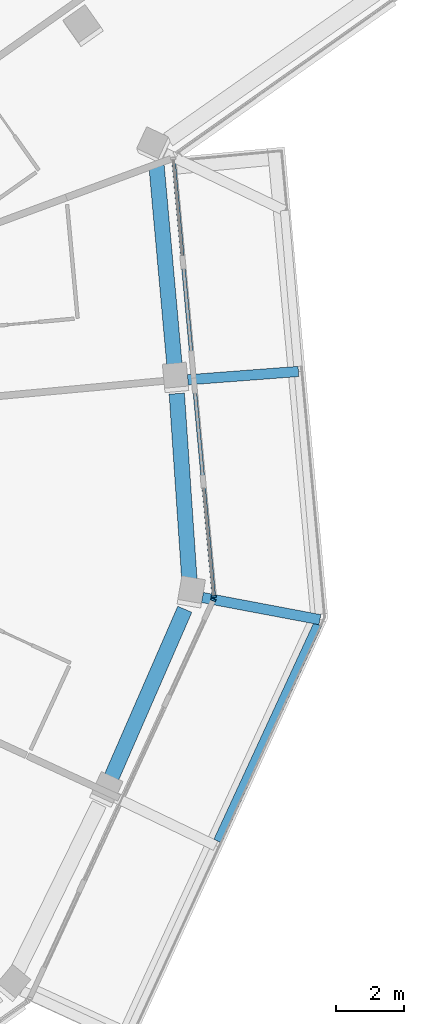
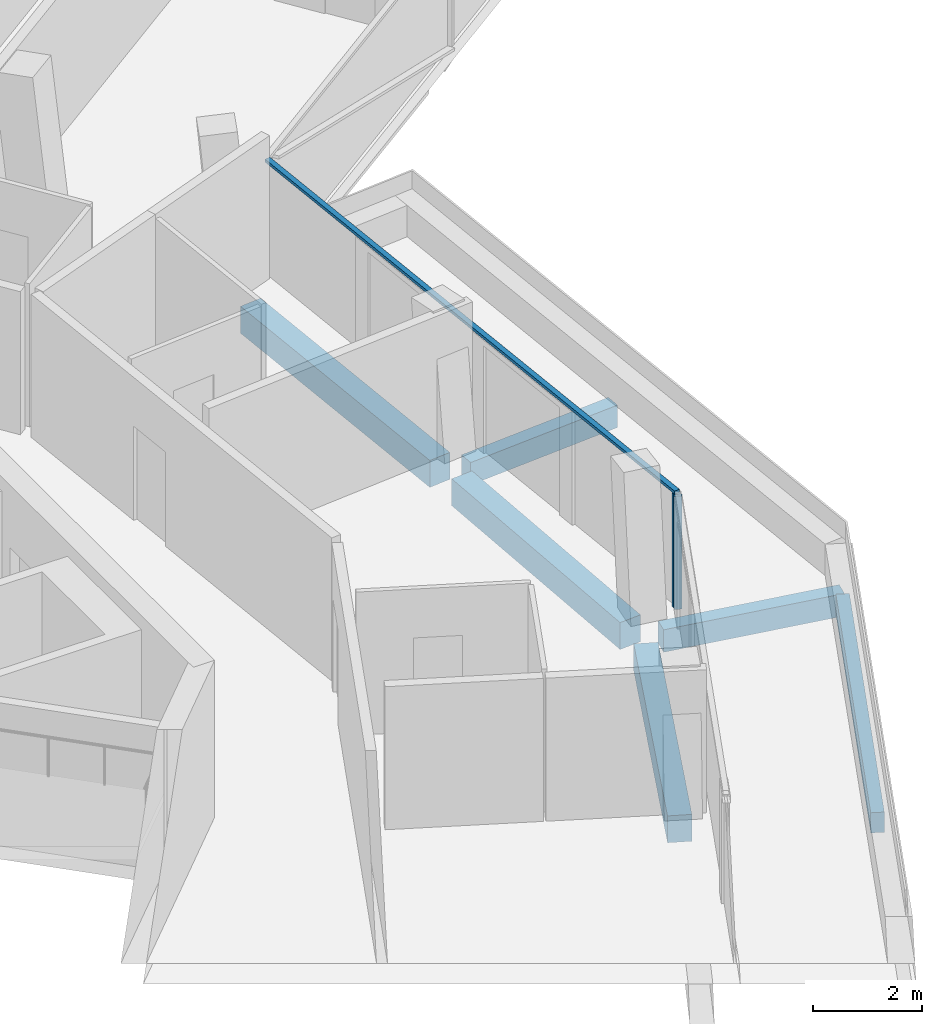
# One storey, part 7 of 25: 6 beams, 3 members, 2 elements without a shape of their own.
"""IFC4 building model written with IfcOpenShell, lengths in metres."""

from ifc_helpers import new_model, si_unit, direction, frame, origin, origin_2d, place, context, subcontext, project, spatial, rectangle, extrude, material, layer, layer_set, material_profile, profile_set, type_object, element, aggregate, save


model = new_model("IFC4")

# Units and contexts
model_context = context("Model", 3, precision=1e-05, world=origin(), true_north=direction((0.0, 1.0)))
body_context = subcontext(model_context, "Body", "Model", "MODEL_VIEW")
ifc_project = project(units=[si_unit("LENGTHUNIT", "METRE"), si_unit("AREAUNIT", "SQUARE_METRE"), si_unit("VOLUMEUNIT", "CUBIC_METRE"), si_unit("PLANEANGLEUNIT", "RADIAN"), si_unit("MASSUNIT", "GRAM", prefix="KILO")], contexts=[model_context])

# Site, building, storey
site_placement = place(None, origin())
site = spatial("IfcSite", under=ifc_project, at=site_placement, CompositionType="ELEMENT")
building_placement = place(site_placement, origin())
building = spatial("IfcBuilding", under=site, at=building_placement, Name="Verdalira Terraces Hotel", CompositionType="ELEMENT")
storey_placement = place(building_placement, frame((0.0, 0.0, 299.5)))
storey = spatial("IfcBuildingStorey", under=building, at=storey_placement, Name="L74", CompositionType="ELEMENT", Elevation=299.5)

# Beams
ifc_material_1 = material(Name="Concrete C40", Category="concrete")
ifc_material_profile_1 = material_profile(ifc_material_1, rectangle(XDim=0.300049, YDim=0.5, at=origin_2d()), Name="RC 300X500")
ifc_profile_set_1 = profile_set([ifc_material_profile_1], Name="Concrete C40")
beam_type_1 = type_object("IfcBeamType", Name="Balcony cantilever beam RC 300X500 C40", PredefinedType="BEAM", material=ifc_profile_set_1)
beam_1_placement = place(storey_placement, frame((24.337402, -4.203369, -0.560059), z_axis=(0.982676021, -0.185331694, 0.0), x_axis=(0.185331694, 0.982676021, 0.0)))
element("IfcBeam", 1, at=beam_1_placement, inside=storey, type_object=beam_type_1, Name="Balcony cantilever beam R26-3", PredefinedType="BEAM", context=body_context, shape_type="SweptSolid", body=[
    extrude(rectangle(XDim=0.300049, YDim=0.5, at=origin_2d()), origin(), (0.0, 0.0, 1.0), 3.50415),
])
beam_2_placement = place(storey_placement, frame((23.90918, 2.17627, -0.560059), z_axis=(0.997159121, 0.075323889, 0.0), x_axis=(-0.075323889, 0.997159121, 0.0)))
element("IfcBeam", 2, at=beam_2_placement, inside=storey, type_object=beam_type_1, Name="Balcony cantilever beam R26-4", PredefinedType="BEAM", context=body_context, shape_type="SweptSolid", body=[
    extrude(rectangle(XDim=0.300049, YDim=0.5, at=origin_2d()), origin(), (0.0, 0.0, 1.0), 3.250977),
])
ifc_material_2 = material(Name="Concrete C40", Category="concrete")
ifc_material_profile_2 = material_profile(ifc_material_2, rectangle(XDim=0.25, YDim=0.449951, at=origin_2d()), Name="RC 250X450")
ifc_profile_set_2 = profile_set([ifc_material_profile_2], Name="Concrete C40")
beam_type_2 = type_object("IfcBeamType", Name="Balcony edge beam RC 250X450 C40", PredefinedType="BEAM", material=ifc_profile_set_2)
beam_3_placement = place(storey_placement, frame((24.786621, -11.342285, -0.534912), z_axis=(0.418949681, 0.908009452, 0.0), x_axis=(-0.908009452, 0.418949681, 0.0)))
element("IfcBeam", 3, at=beam_3_placement, inside=storey, type_object=beam_type_2, Name="Balcony edge beam R26-2", PredefinedType="BEAM", context=body_context, shape_type="SweptSolid", body=[
    extrude(rectangle(XDim=0.25, YDim=0.449951, at=origin_2d()), origin(), (0.0, 0.0, 1.0), 6.992432),
])

# Curtain wall, member
ifc_material_3 = material(Name="Clear glass", Category="glass")
ifc_layer = layer(ifc_material_3, 0.14990234375)
ifc_layer_set = layer_set([ifc_layer], Name="CW1 curtain wall")
curtain_wall_type = type_object("IfcCurtainWallType", Name="CW1 curtain wall", PredefinedType="NOTDEFINED", material=ifc_layer_set)
curtain_wall_1_placement = place(storey_placement, origin())
curtain_wall_1 = element("IfcCurtainWall", 4, at=curtain_wall_1_placement, inside=storey, type_object=curtain_wall_type, Name="CW1 curtain wall L74 edge 26", PredefinedType="NOTDEFINED")
ifc_material_4 = material(Name="Terracotta frame", Category="masonry")
ifc_material_profile_3 = material_profile(ifc_material_4, rectangle(XDim=0.060059, YDim=0.149902, at=origin_2d()), Name="MU 60x150")
ifc_profile_set_3 = profile_set([ifc_material_profile_3], Name="Terracotta frame")
member_type_1 = type_object("IfcMemberType", Name="CW1 mullion 60x150", PredefinedType="MULLION", material=ifc_profile_set_3)
member_1_placement = place(storey_placement, frame((24.656006, -4.272461, 0.0), z_axis=(0.0, 0.0, 1.0), x_axis=(0.418184178, 0.908362259, 0.0)))
member_1 = element("IfcMember", 5, at=member_1_placement, type_object=member_type_1, Name="CW1 mullion", PredefinedType="MULLION", context=body_context, shape_type="SweptSolid", body=[
    extrude(rectangle(XDim=0.060059, YDim=0.149902, at=origin_2d()), origin(), (0.0, 0.0, 1.0), 2.524902),
])
aggregate(curtain_wall_1, [member_1])

# Curtain wall, members
curtain_wall_2_placement = place(storey_placement, origin())
curtain_wall_2 = element("IfcCurtainWall", 6, at=curtain_wall_2_placement, inside=storey, type_object=curtain_wall_type, Name="CW1 curtain wall L74 edge 27", PredefinedType="NOTDEFINED")
member_2_placement = place(storey_placement, frame((24.672363, -4.177002, 0.0), z_axis=(0.0, 0.0, 1.0), x_axis=(-0.092023008, 0.995756881, 0.0)))
member_2 = element("IfcMember", 7, at=member_2_placement, type_object=member_type_1, Name="CW1 mullion", PredefinedType="MULLION", context=body_context, shape_type="SweptSolid", body=[
    extrude(rectangle(XDim=0.060059, YDim=0.149902, at=origin_2d()), origin(), (0.0, 0.0, 1.0), 2.524902),
])
ifc_material_5 = material(Name="Terracotta frame", Category="masonry")
ifc_material_profile_4 = material_profile(ifc_material_5, rectangle(XDim=0.110107, YDim=0.064941, at=origin_2d()), Name="TR 65x110")
ifc_profile_set_4 = profile_set([ifc_material_profile_4], Name="Terracotta frame")
member_type_2 = type_object("IfcMemberType", Name="CW1 transom 65x110", PredefinedType="USERDEFINED", material=ifc_profile_set_4)
member_3_placement = place(storey_placement, frame((24.675049, -4.207031, 2.557617), z_axis=(-0.092006584, 0.995758399, 0.0), x_axis=(-0.995758399, -0.092006584, 0.0)))
member_3 = element("IfcMember", 8, at=member_3_placement, type_object=member_type_2, Name="CW1 transom", ObjectType="TRANSOM", PredefinedType="USERDEFINED", context=body_context, shape_type="SweptSolid", body=[
    extrude(rectangle(XDim=0.110107, YDim=0.064941, at=origin_2d()), origin(), (0.0, 0.0, 1.0), 12.959717),
])
aggregate(curtain_wall_2, [member_2, member_3])

# Beams
ifc_material_6 = material(Name="Concrete C40", Category="concrete")
ifc_material_profile_5 = material_profile(ifc_material_6, rectangle(XDim=0.449951, YDim=0.600098, at=origin_2d()), Name="RC 450X600")
ifc_profile_set_5 = profile_set([ifc_material_profile_5], Name="Concrete C40")
beam_type_3 = type_object("IfcBeamType", Name="Spandrel beam RC 450X600 C40", PredefinedType="SPANDREL", material=ifc_profile_set_5)
beam_4_placement = place(storey_placement, frame((21.612549, -9.609863, -0.610107), z_axis=(0.399962691, 0.916531421, 0.0), x_axis=(-0.916531421, 0.399962691, 0.0)))
element("IfcBeam", 9, at=beam_4_placement, inside=storey, type_object=beam_type_3, Name="Spandrel beam B16", PredefinedType="SPANDREL", context=body_context, shape_type="SweptSolid", body=[
    extrude(rectangle(XDim=0.449951, YDim=0.600098, at=origin_2d()), origin(), (0.0, 0.0, 1.0), 5.52124),
])
beam_5_placement = place(storey_placement, frame((23.959717, -3.739502, -0.610107), z_axis=(-0.067621948, 0.997711016, 0.0), x_axis=(-0.997711016, -0.067621948, 0.0)))
element("IfcBeam", 10, at=beam_5_placement, inside=storey, type_object=beam_type_3, Name="Spandrel beam B17", PredefinedType="SPANDREL", context=body_context, shape_type="SweptSolid", body=[
    extrude(rectangle(XDim=0.449951, YDim=0.600098, at=origin_2d()), origin(), (0.0, 0.0, 1.0), 5.523926),
])
beam_6_placement = place(storey_placement, frame((23.530518, 2.477295, -0.610107), z_axis=(-0.089759371, 0.995963481, 0.0), x_axis=(-0.995963481, -0.089759371, 0.0)))
element("IfcBeam", 11, at=beam_6_placement, inside=storey, type_object=beam_type_3, Name="Spandrel beam B18", PredefinedType="SPANDREL", context=body_context, shape_type="SweptSolid", body=[
    extrude(rectangle(XDim=0.449951, YDim=0.600098, at=origin_2d()), origin(), (0.0, 0.0, 1.0), 6.010986),
])

save(model, "model.ifc")
